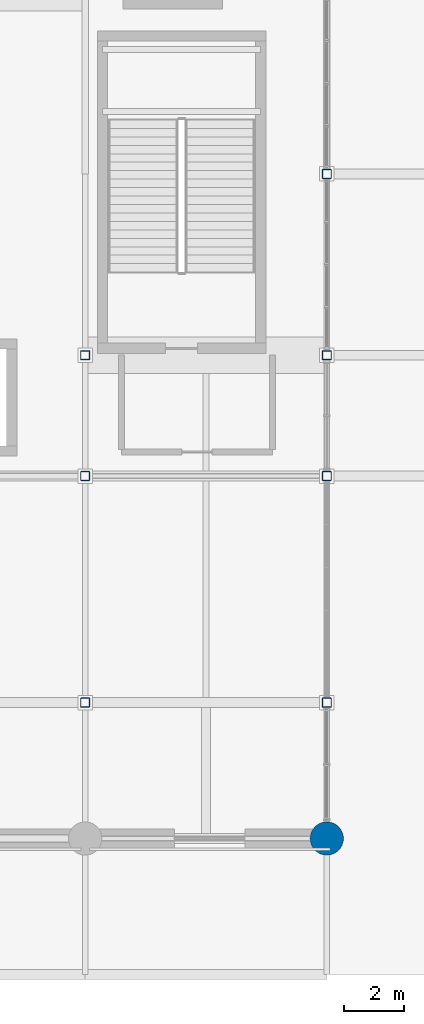
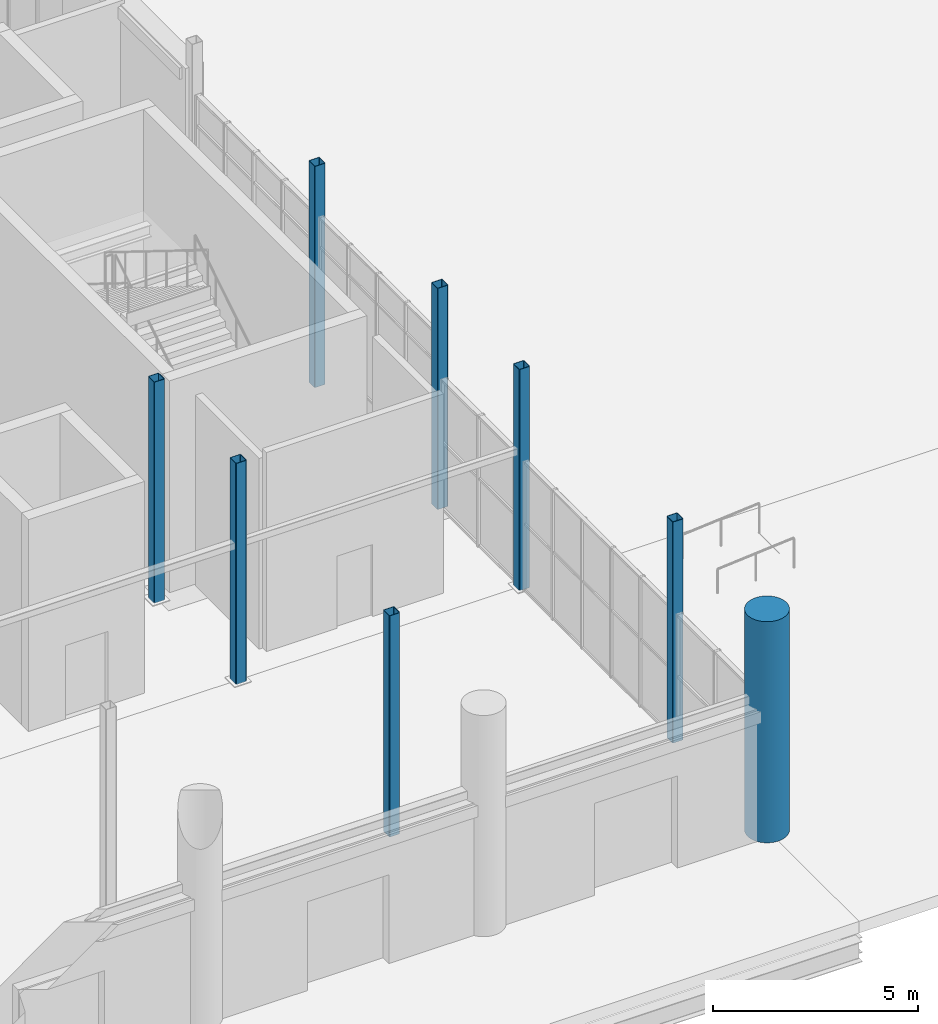
# One storey, part 6 of 140: 8 columns.
"""IFC4 building model written with IfcOpenShell, lengths in metres."""

import ifcopenshell
import ifcopenshell.guid

model = None  # the IFC model being written
_history = None  # IfcOwnerHistory: only IFC2X3 demands one
_inside = {}  # id of a spatial element -> (the spatial element, [elements in it])
_under = {}  # id of a project, library or spatial element -> (it, [spatial elements below it])
_declared = {}  # id of a project -> (the project, [libraries it declares])
_typed = {}  # id of a type object -> (the type object, [elements of that type])
_made_of = {}  # id of a material, layer set ... -> (it, [elements and type objects made of it])


def new_model(schema):
    """Start an empty IFC model of exactly this schema.

    Asked for "IFC4X3", IfcOpenShell would pick the latest addendum, in which some entities
    have other attributes; the version numbers below select the first issue.
    IFC2X3 requires an IfcOwnerHistory on every rooted entity: one is made here for all.
    """
    global model, _history
    if schema == "IFC4X3":
        model = ifcopenshell.file(schema_version=(4, 3, 0, 0))
    else:
        model = ifcopenshell.file(schema=schema)
    _inside.clear()
    _under.clear()
    _declared.clear()
    _typed.clear()
    _made_of.clear()
    _history = None
    if model.schema == "IFC2X3":
        org = make("IfcOrganization", Name="unknown")
        user = make(
            "IfcPersonAndOrganization",
            ThePerson=make("IfcPerson", FamilyName="unknown"),
            TheOrganization=org,
        )
        app = make(
            "IfcApplication",
            ApplicationDeveloper=org,
            Version="unknown",
            ApplicationFullName="unknown",
            ApplicationIdentifier="unknown",
        )
        _history = make(
            "IfcOwnerHistory",
            OwningUser=user,
            OwningApplication=app,
            ChangeAction="ADDED",
            CreationDate=0,
        )
    return model


def make(cls, **values):
    """One entity of the class cls with the attributes given. An attribute that is None is left unset."""
    return model.create_entity(
        cls, **{name: value for name, value in values.items() if value is not None}
    )


def rooted(cls, **values):
    """An entity with a GlobalId (a new one), such as an element, a storey or a relation."""
    return make(cls, GlobalId=ifcopenshell.guid.new(), OwnerHistory=_history, **values)


def si_unit(unit_type, name, prefix=None):
    """IfcSIUnit, for example si_unit("LENGTHUNIT", "METRE", prefix="MILLI")."""
    return make("IfcSIUnit", UnitType=unit_type, Prefix=prefix, Name=name)


def assignment(units):
    """IfcUnitAssignment: the units of a project."""
    return None if units is None else make("IfcUnitAssignment", Units=units)


def point(xyz):
    """IfcCartesianPoint."""
    return None if xyz is None else make("IfcCartesianPoint", Coordinates=xyz)


def direction(xyz):
    """IfcDirection."""
    return None if xyz is None else make("IfcDirection", DirectionRatios=xyz)


def frame(location, z_axis=None, x_axis=None):
    """IfcAxis2Placement3D, a coordinate frame: its origin and axes. An axis left out is left unset."""
    return make(
        "IfcAxis2Placement3D",
        Location=point(location),
        Axis=direction(z_axis),
        RefDirection=direction(x_axis),
    )


def frame_2d(location, x_axis=None):
    """IfcAxis2Placement2D, a coordinate frame in the plane: its origin and x axis."""
    return make(
        "IfcAxis2Placement2D", Location=point(location), RefDirection=direction(x_axis)
    )


def origin():
    """The frame at (0, 0, 0) with its axes left unset."""
    return frame((0.0, 0.0, 0.0))


def origin_2d():
    """The frame at (0, 0) in the plane with its x axis left unset."""
    return frame_2d((0.0, 0.0))


def place(relative_to, where):
    """IfcLocalPlacement: puts the frame where relative to a parent placement (None: the world)."""
    return make(
        "IfcLocalPlacement", PlacementRelTo=relative_to, RelativePlacement=where
    )


def context(
    kind, dimensions, precision=None, world=None, true_north=None, identifier=None
):
    """IfcGeometricRepresentationContext, for example the 3D "Model" context."""
    return make(
        "IfcGeometricRepresentationContext",
        ContextIdentifier=identifier,
        ContextType=kind,
        CoordinateSpaceDimension=dimensions,
        Precision=precision,
        WorldCoordinateSystem=world,
        TrueNorth=true_north,
    )


def subcontext(parent, identifier, kind, view, scale=None):
    """IfcGeometricRepresentationSubContext, for example "Body" below "Model"."""
    return make(
        "IfcGeometricRepresentationSubContext",
        ContextIdentifier=identifier,
        ContextType=kind,
        ParentContext=parent,
        TargetScale=scale,
        TargetView=view,
    )


def project(units=None, contexts=None):
    """IfcProject with its units and contexts."""
    return rooted(
        "IfcProject",
        Name="project",
        RepresentationContexts=contexts,
        UnitsInContext=assignment(units),
    )


def spatial(cls, under=None, at=None, **own):
    """A site, building, storey or space (cls), placed at a placement, below another one or the project."""
    s = rooted(cls, ObjectPlacement=at, **own)
    if under is not None:
        _under.setdefault(under.id(), (under, []))[1].append(s)
    return s


def profile(cls, at=None, kind="AREA", **sizes):
    """A parametric profile (cls). Its sizes go by their IFC names, for example OverallWidth=200.0."""
    return make(cls, ProfileType=kind, Position=at, **sizes)


def hollow_rectangle(**sizes):
    """IfcRectangleHollowProfileDef."""
    return profile("IfcRectangleHollowProfileDef", **sizes)


def circle(**sizes):
    """IfcCircleProfileDef."""
    return profile("IfcCircleProfileDef", **sizes)


def extrude(swept, where, along, depth):
    """IfcExtrudedAreaSolid: the profile swept, set in the frame where, extruded along a direction by depth."""
    return make(
        "IfcExtrudedAreaSolid",
        SweptArea=swept,
        Position=where,
        ExtrudedDirection=direction(along),
        Depth=depth,
    )


def shape(context_of_items, identifier, shape_type, items):
    """IfcShapeRepresentation: the items that make up one representation, for example the "Body"."""
    return make(
        "IfcShapeRepresentation",
        ContextOfItems=context_of_items,
        RepresentationIdentifier=identifier,
        RepresentationType=shape_type,
        Items=items,
    )


def material(Name=None, Category=None):
    """IfcMaterial."""
    return make("IfcMaterial", Name=Name, Category=Category)


def material_profile(
    of_material, cross_section, Name=None, Category=None, Priority=None
):
    """IfcMaterialProfile: a cross section and its material."""
    return make(
        "IfcMaterialProfile",
        Name=Name,
        Material=of_material,
        Profile=cross_section,
        Priority=Priority,
        Category=Category,
    )


def profile_set(profiles, Name=None, composite=None):
    """IfcMaterialProfileSet."""
    return make(
        "IfcMaterialProfileSet",
        Name=Name,
        MaterialProfiles=profiles,
        CompositeProfile=composite,
    )


def made_of(thing, what):
    """Note that an element or type object is made of a material, layer set ...; save() writes the relation."""
    if what is not None:
        _made_of.setdefault(what.id(), (what, []))[1].append(thing)
    return thing


def type_object(cls, material=None, **own):
    """A type object (cls), such as IfcWallType, which elements share."""
    return made_of(rooted(cls, **own), material)


def element(
    cls,
    number,
    at=None,
    inside=None,
    cuts=None,
    type_object=None,
    material=None,
    context=None,
    identifier="Body",
    shape_type=None,
    held_by="IfcProductDefinitionShape",
    body=None,
    shapes=None,
    **own,
):
    """One element of the class cls, such as IfcWall. Its Tag is "e" and its number.

    at: its placement. inside: the storey or other place that contains it. cuts: it is an
    opening in that element (IfcRelVoidsElement). A single representation is given by context,
    identifier, shape_type and body (its items); several are given by shapes. held_by: the class
    of the entity that holds the representations. save() writes the other relations.
    """
    e = rooted(cls, Tag="e%d" % number, ObjectPlacement=at, **own)
    if body is not None:
        shapes = [shape(context, identifier, shape_type, body)]
    if shapes is not None:
        e.Representation = make(held_by, Representations=shapes)
    if inside is not None:
        _inside.setdefault(inside.id(), (inside, []))[1].append(e)
    if cuts is not None:
        rooted(
            "IfcRelVoidsElement", RelatingBuildingElement=cuts, RelatedOpeningElement=e
        )
    if type_object is not None:
        _typed.setdefault(type_object.id(), (type_object, []))[1].append(e)
    return made_of(e, material)


def aggregate(whole, parts):
    """IfcRelAggregates: a whole, such as a stair, and the parts it consists of."""
    return rooted("IfcRelAggregates", RelatingObject=whole, RelatedObjects=parts)


def save(model, path):
    """Write the relations noted so far, then the file.

    IfcRelAggregates (storeys below a building ...), IfcRelContainedInSpatialStructure (elements
    in a storey), IfcRelDefinesByType, IfcRelAssociatesMaterial and IfcRelDeclares: one each for
    every whole, place, type object, material and project.
    """
    for whole, parts in _under.values():
        aggregate(whole, parts)
    for where, things in _inside.values():
        rooted(
            "IfcRelContainedInSpatialStructure",
            RelatedElements=things,
            RelatingStructure=where,
        )
    for kind, things in _typed.values():
        rooted("IfcRelDefinesByType", RelatedObjects=things, RelatingType=kind)
    for what, things in _made_of.values():
        rooted("IfcRelAssociatesMaterial", RelatedObjects=things, RelatingMaterial=what)
    for by, libraries in _declared.values():
        rooted("IfcRelDeclares", RelatingContext=by, RelatedDefinitions=libraries)
    model.write(path)


model = new_model("IFC4")

# Units and contexts
model_context = context("Model", 3, precision=1e-05, world=origin(), true_north=direction((0.0, 1.0)))
body_context = subcontext(model_context, "Body", "Model", "MODEL_VIEW")
ifc_project = project(units=[si_unit("LENGTHUNIT", "METRE"), si_unit("AREAUNIT", "SQUARE_METRE"), si_unit("VOLUMEUNIT", "CUBIC_METRE"), si_unit("PLANEANGLEUNIT", "RADIAN"), si_unit("MASSUNIT", "GRAM", prefix="KILO")], contexts=[model_context])

# Site, building, storey
site_placement = place(None, origin())
site = spatial("IfcSite", under=ifc_project, at=site_placement, CompositionType="ELEMENT")
building_placement = place(site_placement, origin())
building = spatial("IfcBuilding", under=site, at=building_placement, Name="Verrall Gate Interchange", CompositionType="ELEMENT")
storey_placement = place(building_placement, origin())
storey = spatial("IfcBuildingStorey", under=building, at=storey_placement, Name="L01", CompositionType="ELEMENT", Elevation=0.0)

# Columns
ifc_material_1 = material(Name="Concrete CSA A23.1 40 MPa (Class C-1)", Category="concrete")
ifc_material_profile_1 = material_profile(ifc_material_1, circle(Radius=0.550048828125, at=origin_2d()), Name="RC1100D")
ifc_profile_set_1 = profile_set([ifc_material_profile_1], Name="Concrete CSA A23.1 40 MPa (Class C-1)")
column_type_1 = type_object("IfcColumnType", Name="C-06 Column RC1100D", PredefinedType="COLUMN", material=ifc_profile_set_1)
column_placement = place(storey_placement, frame((108.0, 0.0, 0.0), z_axis=(0.0, 0.0, 1.0), x_axis=(1.0, 0.0, 0.0)))
element("IfcColumn", 1, at=column_placement, inside=storey, type_object=column_type_1, Name="L01 Column COL-L01-1124 (C-06)", PredefinedType="COLUMN", context=body_context, shape_type="SweptSolid", body=[
    extrude(circle(Radius=0.550048828125, at=origin_2d()), origin(), (0.0, 0.0, 1.0), 6.60009765625),
])
ifc_material_2 = material(Name="Structural Steel CSA G40.21 350WT Cat 4", Category="steel")
ifc_material_profile_2 = material_profile(ifc_material_2, hollow_rectangle(XDim=0.304931640625, YDim=0.304931640625, WallThickness=0.0126953125, InnerFilletRadius=0.0126953125, OuterFilletRadius=0.025390625, at=origin_2d()), Name="HSS305x305x13")
ifc_profile_set_2 = profile_set([ifc_material_profile_2], Name="Structural Steel CSA G40.21 350WT Cat 4")
column_type_2 = type_object("IfcColumnType", Name="C-12 Column HSS305x305x13", PredefinedType="COLUMN", material=ifc_profile_set_2)
for number, where, z_axis, x_axis, name in (
    (2, (100.0, 4.5, 0.0), (0.0, 0.0, 1.0), (1.0, 0.0, 0.0), "L01 Column COL-L01-1090 (C-12)"),
    (3, (100.0, 12.0, 0.0), (0.0, 0.0, 1.0), (1.0, 0.0, 0.0), "L01 Column COL-L01-1094 (C-12)"),
    (4, (100.0, 16.0, 0.0), (0.0, 0.0, 1.0), (1.0, 0.0, 0.0), "L01 Column COL-L01-1098 (C-12)"),
    (5, (108.0, 4.5, 0.0), (0.0, 0.0, 1.0), (1.0, 0.0, 0.0), "L01 Column COL-L01-1128 (C-12)"),
    (6, (108.0, 12.0, 0.0), (0.0, 0.0, 1.0), (1.0, 0.0, 0.0), "L01 Column COL-L01-1132 (C-12)"),
    (7, (108.0, 16.0, 0.0), (0.0, 0.0, 1.0), (1.0, 0.0, 0.0), "L01 Column COL-L01-1136 (C-12)"),
    (8, (108.0, 22.0, 0.0), (0.0, 0.0, 1.0), (1.0, 0.0, 0.0), "L01 Column COL-L01-1140 (C-12)"),
):
    element("IfcColumn", number, at=place(storey_placement, frame(where, z_axis=z_axis, x_axis=x_axis)), inside=storey, type_object=column_type_2, Name=name, PredefinedType="COLUMN", context=body_context, shape_type="SweptSolid", body=[
        extrude(hollow_rectangle(XDim=0.304931640625, YDim=0.304931640625, WallThickness=0.0126953125, InnerFilletRadius=0.0126953125, OuterFilletRadius=0.025390625, at=origin_2d()), origin(), (0.0, 0.0, 1.0), 6.60009765625),
    ])

save(model, "model.ifc")
